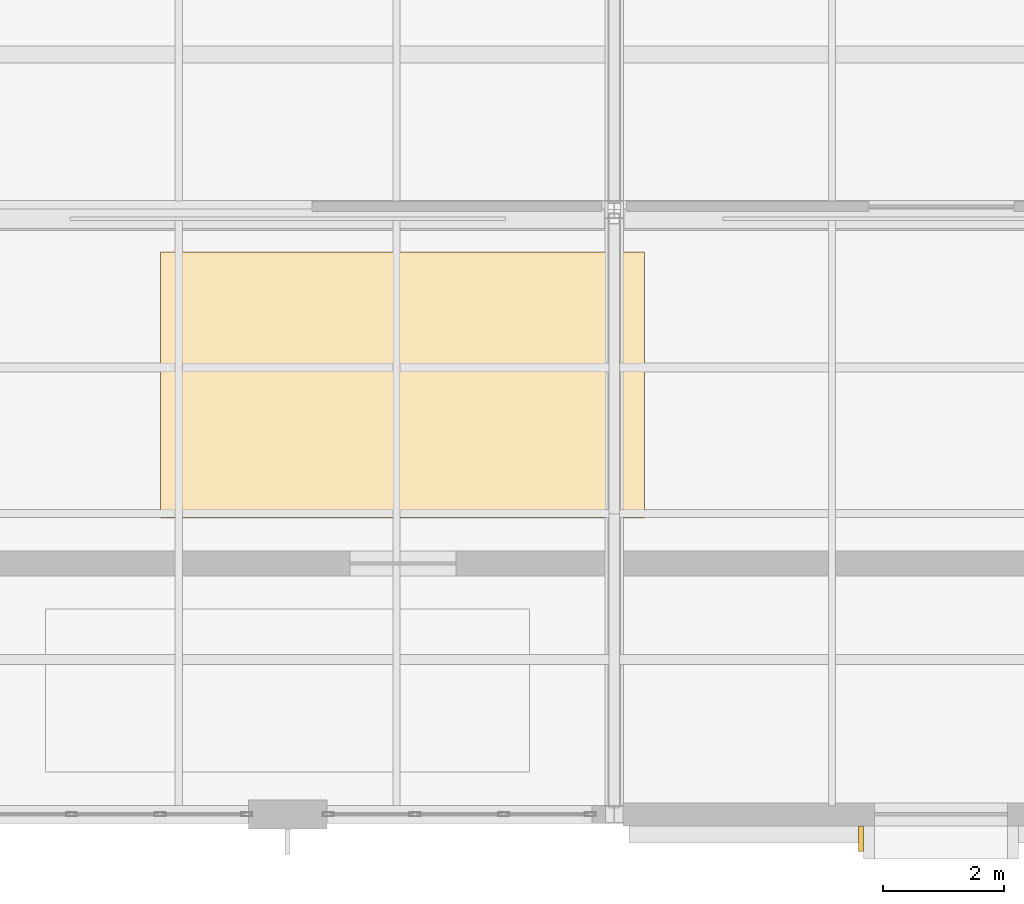
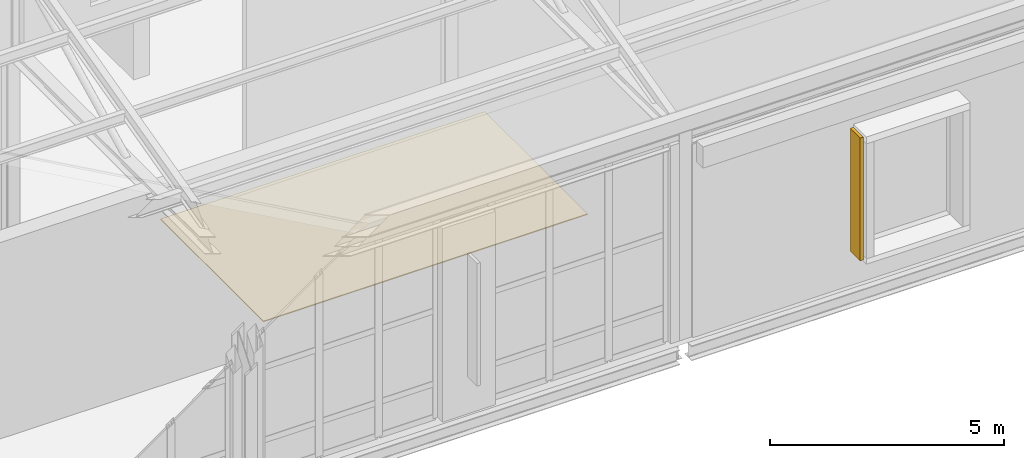
# One storey, part 45 of 49: 1 covering, 1 shading device.
"""IFC4 building model written with IfcOpenShell, lengths in metres."""

from ifc_helpers import new_model, si_unit, direction, frame, origin, origin_2d, place, context, subcontext, project, spatial, rectangle, extrude, material, layer, layer_set, type_object, element, save


model = new_model("IFC4")

# Units and contexts
model_context = context("Model", 3, precision=1e-05, world=origin(), true_north=direction((0.0, 1.0)))
body_context = subcontext(model_context, "Body", "Model", "MODEL_VIEW")
ifc_project = project(units=[si_unit("LENGTHUNIT", "METRE"), si_unit("AREAUNIT", "SQUARE_METRE"), si_unit("VOLUMEUNIT", "CUBIC_METRE"), si_unit("PLANEANGLEUNIT", "RADIAN"), si_unit("MASSUNIT", "GRAM", prefix="KILO")], contexts=[model_context])

# Site, building, storey
site_placement = place(None, origin())
site = spatial("IfcSite", under=ifc_project, at=site_placement, CompositionType="ELEMENT")
building_placement = place(site_placement, origin())
building = spatial("IfcBuilding", under=site, at=building_placement, Name="Tasgan Crest Museum", CompositionType="ELEMENT")
storey_placement = place(building_placement, frame((0.0, 0.0, 28.800048828125)))
storey = spatial("IfcBuildingStorey", under=building, at=storey_placement, Name="L05", CompositionType="ELEMENT", Elevation=28.800048828125)

# Covering
ifc_material_1 = material(Name="Engineered Steppe Oak Parquet")
ifc_layer = layer(ifc_material_1, 0.02490234375, Name="COV-FLOOR-OAK")
ifc_layer_set = layer_set([ifc_layer], Name="Engineered Steppe Oak Parquet")
covering_type = type_object("IfcCoveringType", Name="COV-FLOOR-OAK", PredefinedType="FLOORING", material=ifc_layer_set)
covering_placement = place(storey_placement, frame((39.699951171875, 89.10009765625, 0.0), z_axis=(0.0, 0.0, 1.0), x_axis=(1.0, 0.0, 0.0)))
element("IfcCovering", 1, at=covering_placement, inside=storey, type_object=covering_type, Name="Crest Sky Sculpture Gallery floor finish", PredefinedType="FLOORING", context=body_context, shape_type="SweptSolid", body=[
    extrude(rectangle(XDim=8.0, YDim=4.39990234375, at=origin_2d()), origin(), (0.0, 0.0, 1.0), 0.02490234375),
])

# Shading device
ifc_material_2 = material(Name="Anodised Bronze Aluminium", Category="aluminium")
shading_device_type = type_object("IfcShadingDeviceType", Name="SH-FIN-V400", PredefinedType="JALOUSIE", material=ifc_material_2)
shading_device_placement = place(storey_placement, frame((47.280029296875, 81.60009765625, 0.89990234375), z_axis=(0.0, 0.0, 1.0), x_axis=(1.0, 0.0, 0.0)))
element("IfcShadingDevice", 2, at=shading_device_placement, inside=storey, type_object=shading_device_type, Name="Solar shading fin L05-076", PredefinedType="JALOUSIE", context=body_context, shape_type="SweptSolid", body=[
    extrude(rectangle(XDim=0.080078125, YDim=0.419921875, at=origin_2d()), origin(), (0.0, 0.0, 1.0), 3.199951171875),
])

save(model, "model.ifc")
